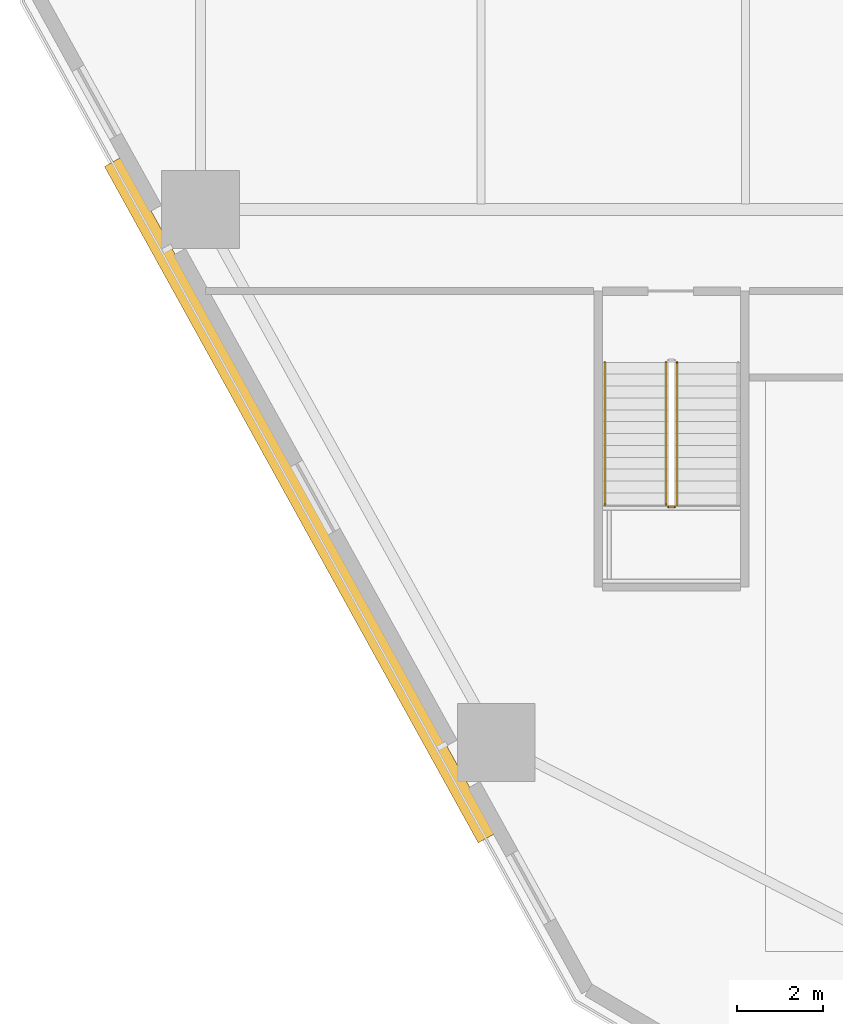
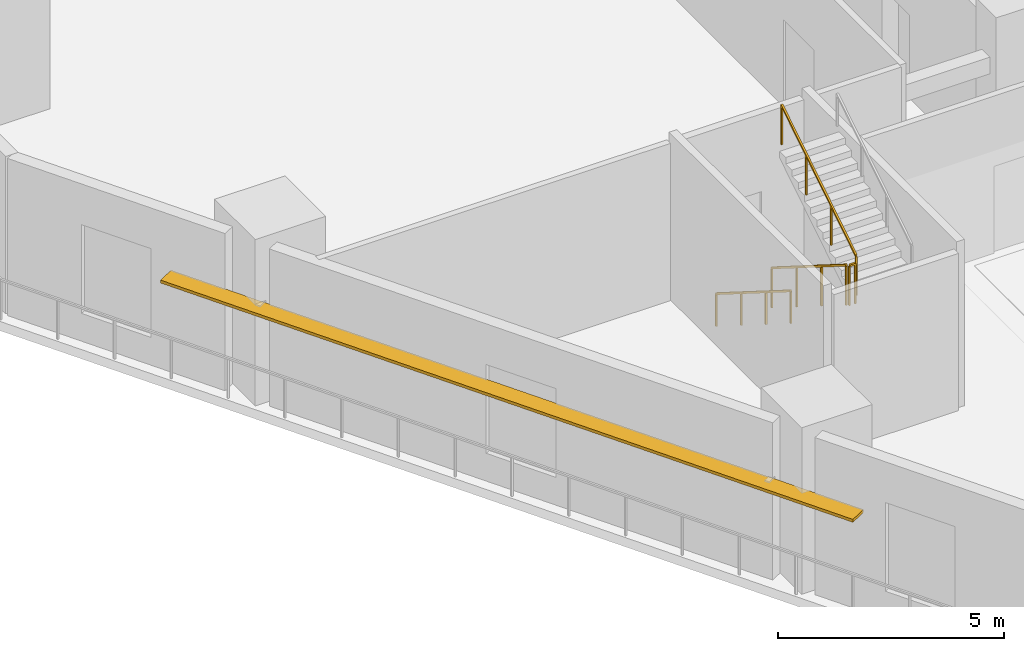
# One storey, part 15 of 21: 4 railings, 1 shading device.
"""IFC4 building model written with IfcOpenShell, lengths in metres."""

from ifc_helpers import new_model, si_unit, direction, frame, origin, origin_2d, place, context, subcontext, project, spatial, rectangle, extrude, material, layer, layer_set, type_object, element, save


model = new_model("IFC4")

# Units and contexts
model_context = context("Model", 3, precision=1e-05, world=origin(), true_north=direction((0.0, 1.0)))
body_context = subcontext(model_context, "Body", "Model", "MODEL_VIEW")
ifc_project = project(units=[si_unit("LENGTHUNIT", "METRE"), si_unit("AREAUNIT", "SQUARE_METRE"), si_unit("VOLUMEUNIT", "CUBIC_METRE"), si_unit("PLANEANGLEUNIT", "RADIAN"), si_unit("MASSUNIT", "GRAM", prefix="KILO")], contexts=[model_context])

# Site, building, storey
site_placement = place(None, origin())
site = spatial("IfcSite", under=ifc_project, at=site_placement, CompositionType="ELEMENT")
building_placement = place(site_placement, origin())
building = spatial("IfcBuilding", under=site, at=building_placement, Name="Cinnabar Lancet Tower", CompositionType="ELEMENT")
storey_placement = place(building_placement, frame((0.0, 0.0, 6.0)))
storey = spatial("IfcBuildingStorey", under=building, at=storey_placement, Name="L01", CompositionType="ELEMENT", Elevation=6.0)

# Shading device
ifc_material_1 = material(Name="Pale limestone architectural aluminium sunshade", Category="masonry")
ifc_layer = layer(ifc_material_1, 0.080078125)
ifc_layer_set = layer_set([ifc_layer], Name="Pale limestone architectural aluminium sunshade")
shading_device_type = type_object("IfcShadingDeviceType", Name="ENV-SHD-LVR-450", PredefinedType="JALOUSIE", material=ifc_layer_set)
shading_device_placement = place(storey_placement, frame((7.208984375, 12.9609375, 2.639892578125), z_axis=(0.0, 0.0, 1.0), x_axis=(0.483679606683, -0.87524513028, 0.0)))
element("IfcShadingDevice", 1, at=shading_device_placement, inside=storey, type_object=shading_device_type, Name="L01 Face 6 Horizontal Sunshade Canopy", PredefinedType="JALOUSIE", context=body_context, shape_type="SweptSolid", body=[
    extrude(rectangle(XDim=17.904052734375, YDim=0.449951171875, at=origin_2d()), origin(), (0.0, 0.0, 1.0), 0.080078125),
])

# Railings
ifc_material_2 = material(Name="Painted galvanized steel balustrade", Category="steel")
railing_type_1 = type_object("IfcRailingType", Name="GUARD-STAIR", PredefinedType="GUARDRAIL", material=ifc_material_2)
railing_1_placement = place(storey_placement, frame((15.695068359375, 16.14990234375, 0.173095703125)))
element("IfcRailing", 2, at=railing_1_placement, inside=storey, type_object=railing_type_1, Name="L01 ST-3 stair guard 1", PredefinedType="GUARDRAIL", context=body_context, shape_type="SweptSolid", body=[
    extrude(rectangle(XDim=0.048095703125, YDim=0.048095703125, at=origin_2d()), frame((0.0, 0.0, 1.076171875), z_axis=(0.0, -0.846319618018, 0.532675421018), x_axis=(1.0, 0.0, 0.0)), (0.0, 0.0, 1.0), 3.89892578125),
    extrude(rectangle(XDim=0.0419921875, YDim=0.0419921875, at=origin_2d()), origin(), (0.0, 0.0, 1.0), 1.052001953125),
    extrude(rectangle(XDim=0.0419921875, YDim=0.0419921875, at=origin_2d()), frame((0.0, -1.099853515625, 0.6923828125)), (0.0, 0.0, 1.0), 1.052001953125),
    extrude(rectangle(XDim=0.0419921875, YDim=0.0419921875, at=origin_2d()), frame((0.0, -2.199951171875, 1.384521484375)), (0.0, 0.0, 1.0), 1.052001953125),
    extrude(rectangle(XDim=0.0419921875, YDim=0.0419921875, at=origin_2d()), frame((0.0, -3.2998046875, 2.076904296875)), (0.0, 0.0, 1.0), 1.052001953125),
])
railing_2_placement = place(storey_placement, frame((15.7451171875, 12.800048828125, 2.25)))
element("IfcRailing", 3, at=railing_2_placement, inside=storey, type_object=railing_type_1, Name="L01 ST-3 stair guard 2", PredefinedType="GUARDRAIL", context=body_context, shape_type="SweptSolid", body=[
    extrude(rectangle(XDim=0.048095703125, YDim=0.048095703125, at=origin_2d()), frame((0.0, 0.0, 1.076171875), z_axis=(1.0, 0.0, 0.0), x_axis=(0.0, 1.0, 0.0)), (0.0, 0.0, 1.0), 0.14990234375),
    extrude(rectangle(XDim=0.0419921875, YDim=0.0419921875, at=origin_2d()), origin(), (0.0, 0.0, 1.0), 1.052001953125),
    extrude(rectangle(XDim=0.0419921875, YDim=0.0419921875, at=origin_2d()), frame((0.14990234375, 0.0, 0.0)), (0.0, 0.0, 1.0), 1.052001953125),
])
railing_3_placement = place(storey_placement, frame((15.945068359375, 12.85009765625, 2.423095703125)))
element("IfcRailing", 4, at=railing_3_placement, inside=storey, type_object=railing_type_1, Name="L01 ST-3 stair guard 3", PredefinedType="GUARDRAIL", context=body_context, shape_type="SweptSolid", body=[
    extrude(rectangle(XDim=0.048095703125, YDim=0.048095703125, at=origin_2d()), frame((0.0, 0.0, 1.076171875), z_axis=(0.0, 0.846319618018, 0.532675421018), x_axis=(-1.0, 0.0, 0.0)), (0.0, 0.0, 1.0), 3.89892578125),
    extrude(rectangle(XDim=0.0419921875, YDim=0.0419921875, at=origin_2d()), origin(), (0.0, 0.0, 1.0), 1.052001953125),
    extrude(rectangle(XDim=0.0419921875, YDim=0.0419921875, at=origin_2d()), frame((0.0, 1.099853515625, 0.6923828125)), (0.0, 0.0, 1.0), 1.052001953125),
    extrude(rectangle(XDim=0.0419921875, YDim=0.0419921875, at=origin_2d()), frame((0.0, 2.199951171875, 1.384521484375)), (0.0, 0.0, 1.0), 1.052001953125),
    extrude(rectangle(XDim=0.0419921875, YDim=0.0419921875, at=origin_2d()), frame((0.0, 3.2998046875, 2.076904296875)), (0.0, 0.0, 1.0), 1.052001953125),
])
ifc_material_3 = material(Name="Brushed stainless steel handrail", Category="steel")
railing_type_2 = type_object("IfcRailingType", Name="HANDRAIL-STAIR", PredefinedType="HANDRAIL", material=ifc_material_3)
railing_4_placement = place(storey_placement, frame((14.27490234375, 16.14990234375, 0.173095703125)))
element("IfcRailing", 5, at=railing_4_placement, inside=storey, type_object=railing_type_2, Name="L01 ST-3 stair handrail 1", PredefinedType="HANDRAIL", context=body_context, shape_type="SweptSolid", body=[
    extrude(rectangle(XDim=0.048095703125, YDim=0.048095703125, at=origin_2d()), frame((0.0, 0.0, 0.8759765625), z_axis=(0.0, -0.846319618018, 0.532675421018), x_axis=(1.0, 0.0, 0.0)), (0.0, 0.0, 1.0), 3.89892578125),
    extrude(rectangle(XDim=0.0419921875, YDim=0.0419921875, at=origin_2d()), origin(), (0.0, 0.0, 1.0), 0.851806640625),
    extrude(rectangle(XDim=0.0419921875, YDim=0.0419921875, at=origin_2d()), frame((0.0, -1.099853515625, 0.6923828125)), (0.0, 0.0, 1.0), 0.851806640625),
    extrude(rectangle(XDim=0.0419921875, YDim=0.0419921875, at=origin_2d()), frame((0.0, -2.199951171875, 1.384521484375)), (0.0, 0.0, 1.0), 0.851806640625),
    extrude(rectangle(XDim=0.0419921875, YDim=0.0419921875, at=origin_2d()), frame((0.0, -3.2998046875, 2.076904296875)), (0.0, 0.0, 1.0), 0.851806640625),
])

save(model, "model.ifc")
